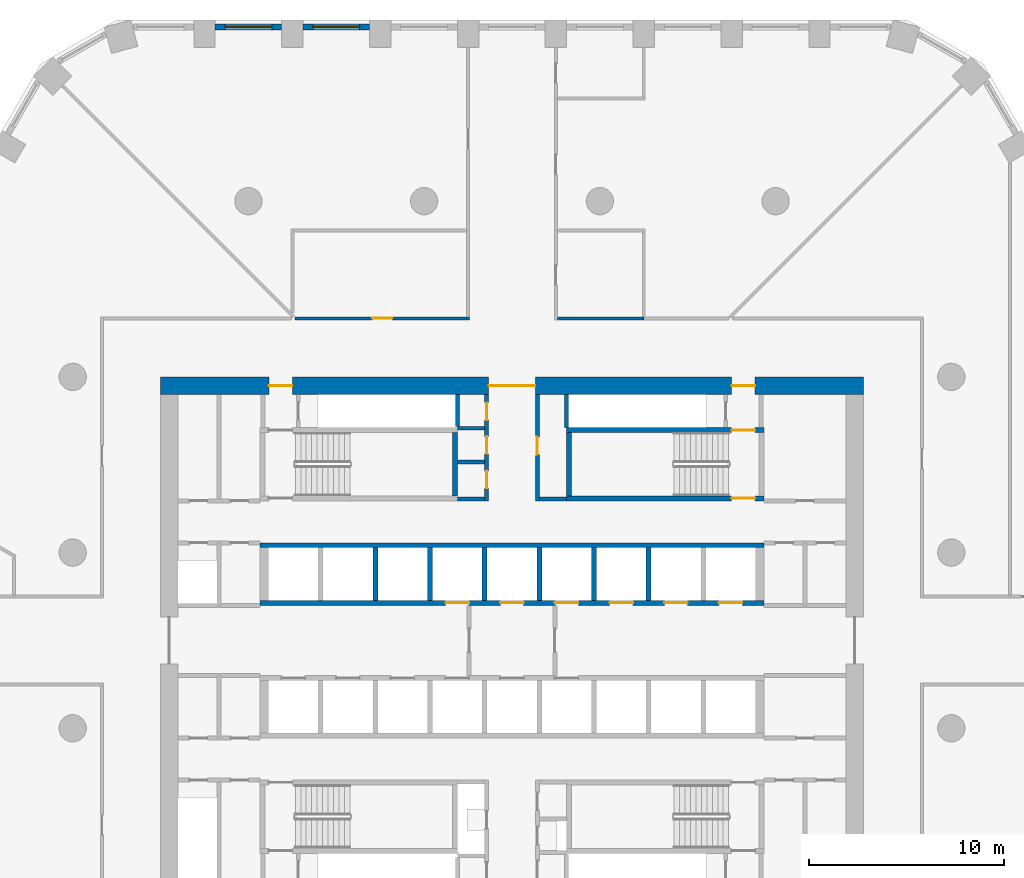
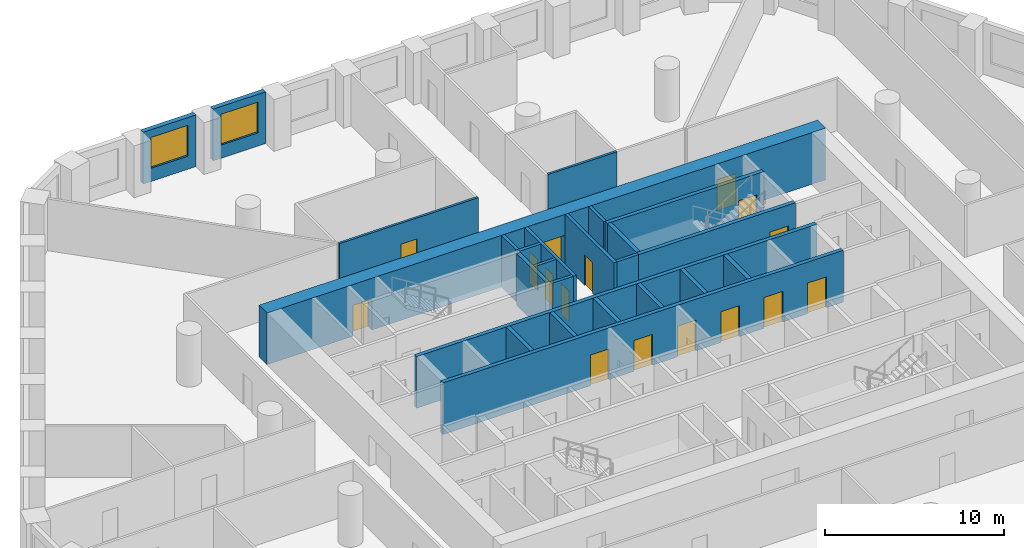
# One storey, part 6 of 10: 25 walls, 16 doors, 2 windows, 18 openings.
"""IFC4 building model written with IfcOpenShell, lengths in metres."""

from ifc_helpers import new_model, si_unit, direction, frame, frame_2d, origin, place, context, subcontext, project, spatial, polyline, rectangle, outline, extrude, material, layer, layer_set, type_object, element, fill, save


model = new_model("IFC4")

# Units and contexts
model_context = context("Model", 3, precision=1e-05, world=origin(), true_north=direction((0.0, 1.0)))
body_context = subcontext(model_context, "Body", "Model", "MODEL_VIEW")
ifc_project = project(units=[si_unit("LENGTHUNIT", "METRE"), si_unit("AREAUNIT", "SQUARE_METRE"), si_unit("VOLUMEUNIT", "CUBIC_METRE"), si_unit("PLANEANGLEUNIT", "RADIAN"), si_unit("MASSUNIT", "GRAM", prefix="KILO")], contexts=[model_context])

# Site, building, storey
site_placement = place(None, origin())
site = spatial("IfcSite", under=ifc_project, at=site_placement, CompositionType="ELEMENT")
building_placement = place(site_placement, origin())
building = spatial("IfcBuilding", under=site, at=building_placement, Name="Dhurran Vertical Campus", CompositionType="ELEMENT")
storey_placement = place(building_placement, frame((0.0, 0.0, 57.300048828125)))
storey = spatial("IfcBuildingStorey", under=building, at=storey_placement, Name="L13", CompositionType="ELEMENT", Elevation=57.300048828125)

# Wall, opening, window
ifc_material_1 = material(Name="Precast concrete C50/60", Category="concrete")
ifc_layer_1 = layer(ifc_material_1, 0.300048828125)
ifc_layer_set_1 = layer_set([ifc_layer_1], Name="Precast concrete C50/60")
wall_type_1 = type_object("IfcWallType", Name="Precast spandrel wall 300", PredefinedType="SOLIDWALL", material=ifc_layer_set_1)
wall_1_placement = place(storey_placement, frame((-7.300537109375, 31.4296875, 0.0), z_axis=(0.0, 0.0, 1.0), x_axis=(-1.0, 0.0, 0.0)))
wall_1 = element("IfcWall", 1, at=wall_1_placement, inside=storey, type_object=wall_type_1, Name="EW1 L13.32", PredefinedType="SOLIDWALL", context=body_context, shape_type="SweptSolid", body=[
    extrude(rectangle(XDim=3.39892578125, YDim=0.300048828125, at=frame_2d((1.699462890625, 0.0))), origin(), (0.0, 0.0, 1.0), 3.52490234375),
])
opening_1_placement = place(wall_1_placement, frame((0.49951171875, 0.0, 0.89990234375)))
opening_1 = element("IfcOpeningElement", 2, at=opening_1_placement, cuts=wall_1, Name="Opening WT1", PredefinedType="OPENING", context=body_context, shape_type="SweptSolid", body=[
    extrude(rectangle(XDim=2.39990234375, YDim=2.10009765625, at=frame_2d((1.199951171875, 1.050048828125))), frame((0.0, 0.159912109375, 0.0), z_axis=(0.0, -1.0, 0.0), x_axis=(1.0, 0.0, 0.0)), (0.0, 0.0, 1.0), 0.320068359375),
])
ifc_material_2 = material(Name="Aluminium frame with solar-control glass", Category="aluminium")
window_type = type_object("IfcWindowType", Name="Punched window 2400 x 2100", PartitioningType="SINGLE_PANEL", PredefinedType="WINDOW", material=ifc_material_2)
window_1_placement = place(opening_1_placement, origin())
window_1 = element("IfcWindow", 3, at=window_1_placement, inside=storey, type_object=window_type, Name="WT1 L13.32", OverallHeight=2.10009765625, OverallWidth=2.39990234375, PartitioningType="SINGLE_PANEL", PredefinedType="WINDOW", context=body_context, shape_type="SweptSolid", body=[
    extrude(rectangle(XDim=2.39990234375, YDim=2.10009765625, at=frame_2d((1.199951171875, 1.050048828125))), frame((0.0, 0.030029296875, 0.0), z_axis=(0.0, -1.0, 0.0), x_axis=(1.0, 0.0, 0.0)), (0.0, 0.0, 1.0), 0.06005859375),
])
fill(opening_1, window_1)

wall_2_placement = place(storey_placement, frame((-11.800537109375, 31.4296875, 0.0), z_axis=(0.0, 0.0, 1.0), x_axis=(-1.0, 0.0, 0.0)))
wall_2 = element("IfcWall", 4, at=wall_2_placement, inside=storey, type_object=wall_type_1, Name="EW1 L13.33", PredefinedType="SOLIDWALL", context=body_context, shape_type="SweptSolid", body=[
    extrude(rectangle(XDim=3.39892578125, YDim=0.300048828125, at=frame_2d((1.699462890625, 0.0))), origin(), (0.0, 0.0, 1.0), 3.52490234375),
])
opening_2_placement = place(wall_2_placement, frame((0.49951171875, 0.0, 0.89990234375)))
opening_2 = element("IfcOpeningElement", 5, at=opening_2_placement, cuts=wall_2, Name="Opening WT1", PredefinedType="OPENING", context=body_context, shape_type="SweptSolid", body=[
    extrude(rectangle(XDim=2.39990234375, YDim=2.10009765625, at=frame_2d((1.199951171875, 1.050048828125))), frame((0.0, 0.159912109375, 0.0), z_axis=(0.0, -1.0, 0.0), x_axis=(1.0, 0.0, 0.0)), (0.0, 0.0, 1.0), 0.320068359375),
])
window_2_placement = place(opening_2_placement, origin())
window_2 = element("IfcWindow", 6, at=window_2_placement, inside=storey, type_object=window_type, Name="WT1 L13.33", OverallHeight=2.10009765625, OverallWidth=2.39990234375, PartitioningType="SINGLE_PANEL", PredefinedType="WINDOW", context=body_context, shape_type="SweptSolid", body=[
    extrude(rectangle(XDim=2.39990234375, YDim=2.10009765625, at=frame_2d((1.199951171875, 1.050048828125))), frame((0.0, 0.030029296875, 0.0), z_axis=(0.0, -1.0, 0.0), x_axis=(1.0, 0.0, 0.0)), (0.0, 0.0, 1.0), 0.06005859375),
])
fill(opening_2, window_2)

# Wall, openings, doors
ifc_material_3 = material(Name="Concrete C60/75", Category="concrete")
ifc_layer_2 = layer(ifc_material_3, 0.89990234375)
ifc_layer_set_2 = layer_set([ifc_layer_2], Name="Concrete C60/75")
wall_type_2 = type_object("IfcWallType", Name="co-CORE-WALL-C0-900", PredefinedType="SHEAR", material=ifc_layer_set_2)
wall_3_placement = place(storey_placement, frame((-18.0, 13.050048828125, 0.0), z_axis=(0.0, 0.0, 1.0), x_axis=(1.0, 0.0, 0.0)))
wall_3 = element("IfcWall", 7, at=wall_3_placement, inside=storey, type_object=wall_type_2, Name="Core wall N L13", PredefinedType="SHEAR", context=body_context, shape_type="SweptSolid", body=[
    extrude(rectangle(XDim=36.0, YDim=0.89990234375, at=frame_2d((18.0, 0.0))), origin(), (0.0, 0.0, 1.0), 3.52490234375),
])
opening_3_placement = place(wall_3_placement, frame((16.800048828125, 0.0, 0.0)))
opening_3 = element("IfcOpeningElement", 8, at=opening_3_placement, cuts=wall_3, Name="Opening CV1", PredefinedType="OPENING", context=body_context, shape_type="SweptSolid", body=[
    extrude(rectangle(XDim=2.39990234375, YDim=2.10009765625, at=frame_2d((1.199951171875, 1.050048828125))), frame((0.0, 0.4599609375, 0.0), z_axis=(0.0, -1.0, 0.0), x_axis=(1.0, 0.0, 0.0)), (0.0, 0.0, 1.0), 0.919921875),
])
opening_4_placement = place(wall_3_placement, frame((5.550048828125, 0.0, 0.0)))
opening_4 = element("IfcOpeningElement", 9, at=opening_4_placement, cuts=wall_3, Name="Opening XD1", PredefinedType="OPENING", context=body_context, shape_type="SweptSolid", body=[
    extrude(rectangle(XDim=1.199951171875, YDim=2.10009765625, at=frame_2d((0.60009765625, 1.050048828125))), frame((0.0, 0.4599609375, 0.0), z_axis=(0.0, -1.0, 0.0), x_axis=(1.0, 0.0, 0.0)), (0.0, 0.0, 1.0), 0.919921875),
])
opening_5_placement = place(wall_3_placement, frame((29.25, 0.0, 0.0)))
opening_5 = element("IfcOpeningElement", 10, at=opening_5_placement, cuts=wall_3, Name="Opening XD2", PredefinedType="OPENING", context=body_context, shape_type="SweptSolid", body=[
    extrude(rectangle(XDim=1.199951171875, YDim=2.10009765625, at=frame_2d((0.60009765625, 1.050048828125))), frame((0.0, 0.4599609375, 0.0), z_axis=(0.0, -1.0, 0.0), x_axis=(1.0, 0.0, 0.0)), (0.0, 0.0, 1.0), 0.919921875),
])
ifc_material_4 = material(Name="Fire-rated glazed door set")
door_type_1 = type_object("IfcDoorType", Name="co-D-LOBBY 2400x2100", OperationType="DOUBLE_DOOR_DOUBLE_SWING", PredefinedType="DOOR", material=ifc_material_4)
door_1_placement = place(opening_3_placement, origin())
door_1 = element("IfcDoor", 11, at=door_1_placement, inside=storey, type_object=door_type_1, Name="Core vestibule door N L13", OperationType="DOUBLE_DOOR_DOUBLE_SWING", OverallHeight=2.10009765625, OverallWidth=2.39990234375, PredefinedType="DOOR", context=body_context, shape_type="SweptSolid", body=[
    extrude(rectangle(XDim=2.39990234375, YDim=2.10009765625, at=frame_2d((1.199951171875, 1.050048828125))), frame((0.0, 0.02490234375, 0.0), z_axis=(0.0, -1.0, 0.0), x_axis=(1.0, 0.0, 0.0)), (0.0, 0.0, 1.0), 0.050048828125),
])
fill(opening_3, door_1)
ifc_material_5 = material(Name="Fire-rated steel door set", Category="steel")
door_type_2 = type_object("IfcDoorType", Name="co-D-STAIR-EXIT 1200x2100", OperationType="SINGLE_SWING_RIGHT", PredefinedType="DOOR", material=ifc_material_5)
door_2_placement = place(opening_4_placement, origin())
door_2 = element("IfcDoor", 12, at=door_2_placement, inside=storey, type_object=door_type_2, Name="Stair ST1 exit door L13", OperationType="SINGLE_SWING_RIGHT", OverallHeight=2.10009765625, OverallWidth=1.199951171875, PredefinedType="DOOR", context=body_context, shape_type="SweptSolid", body=[
    extrude(rectangle(XDim=1.199951171875, YDim=2.10009765625, at=frame_2d((0.60009765625, 1.050048828125))), frame((0.0, 0.02490234375, 0.0), z_axis=(0.0, -1.0, 0.0), x_axis=(1.0, 0.0, 0.0)), (0.0, 0.0, 1.0), 0.050048828125),
])
fill(opening_4, door_2)
door_3_placement = place(opening_5_placement, origin())
door_3 = element("IfcDoor", 13, at=door_3_placement, inside=storey, type_object=door_type_2, Name="Stair ST2 exit door L13", OperationType="SINGLE_SWING_RIGHT", OverallHeight=2.10009765625, OverallWidth=1.199951171875, PredefinedType="DOOR", context=body_context, shape_type="SweptSolid", body=[
    extrude(rectangle(XDim=1.199951171875, YDim=2.10009765625, at=frame_2d((0.60009765625, 1.050048828125))), frame((0.0, 0.02490234375, 0.0), z_axis=(0.0, -1.0, 0.0), x_axis=(1.0, 0.0, 0.0)), (0.0, 0.0, 1.0), 0.050048828125),
])
fill(opening_5, door_3)

# Walls
ifc_material_6 = material(Name="Fire-rated masonry blockwork", Category="masonry")
ifc_layer_3 = layer(ifc_material_6, 0.199951171875)
ifc_layer_set_3 = layer_set([ifc_layer_3], Name="Fire-rated masonry blockwork")
wall_type_3 = type_object("IfcWallType", Name="co-FIRE-PARTITION-200", PredefinedType="PARTITIONING", material=ifc_layer_set_3)
for number, where, z_axis, x_axis, name in (
    (14, (-2.800048828125, 7.25, 0.0), (0.0, 0.0, 1.0), (1.0, 0.0, 0.0), "Core partition sl-NW-S L13"),
    (15, (-2.800048828125, 9.135009765625, 0.0), (0.0, 0.0, 1.0), (1.0, 0.0, 0.0), "Core partition sl-NW-cut0 L13"),
    (16, (-2.800048828125, 10.867431640625, 0.0), (0.0, 0.0, 1.0), (1.0, 0.0, 0.0), "Core partition sl-NW-cut1 L13"),
    (17, (1.39990234375, 7.25, 0.0), (0.0, 0.0, 1.0), (1.0, 0.0, 0.0), "Core partition sl-NE-S L13"),
):
    element("IfcWall", number, at=place(storey_placement, frame(where, z_axis=z_axis, x_axis=x_axis)), inside=storey, type_object=wall_type_3, Name=name, PredefinedType="PARTITIONING", context=body_context, shape_type="SweptSolid", body=[
        extrude(rectangle(XDim=1.400146484375, YDim=0.199951171875, at=frame_2d((0.7001953125, 0.0))), origin(), (0.0, 0.0, 1.0), 3.52490234375),
    ])

# Wall, openings, doors
wall_4_placement = place(storey_placement, frame((-1.300048828125, 7.14990234375, 0.0), z_axis=(0.0, 0.0, 1.0), x_axis=(0.0, 1.0, 0.0)))
wall_4 = element("IfcWall", 18, at=wall_4_placement, inside=storey, type_object=wall_type_3, Name="Core partition vest-NW L13", PredefinedType="PARTITIONING", context=body_context, shape_type="SweptSolid", body=[
    extrude(rectangle(XDim=5.4501953125, YDim=0.199951171875, at=frame_2d((2.72509765625, 0.0))), origin(), (0.0, 0.0, 1.0), 3.52490234375),
])
opening_6_placement = place(wall_4_placement, frame((0.642578125, 0.0, 0.0)))
opening_6 = element("IfcOpeningElement", 19, at=opening_6_placement, cuts=wall_4, Name="Opening T03-C6", PredefinedType="OPENING", context=body_context, shape_type="SweptSolid", body=[
    extrude(rectangle(XDim=0.89990234375, YDim=2.10009765625, at=frame_2d((0.449951171875, 1.050048828125))), frame((0.0, 0.10986328125, 0.0), z_axis=(0.0, -1.0, 0.0), x_axis=(1.0, 0.0, 0.0)), (0.0, 0.0, 1.0), 0.219970703125),
])
opening_7_placement = place(wall_4_placement, frame((2.401123046875, 0.0, 0.0)))
opening_7 = element("IfcOpeningElement", 20, at=opening_7_placement, cuts=wall_4, Name="Opening T03-C7", PredefinedType="OPENING", context=body_context, shape_type="SweptSolid", body=[
    extrude(rectangle(XDim=0.89990234375, YDim=2.10009765625, at=frame_2d((0.449951171875, 1.050048828125))), frame((0.0, 0.10986328125, 0.0), z_axis=(0.0, -1.0, 0.0), x_axis=(1.0, 0.0, 0.0)), (0.0, 0.0, 1.0), 0.219970703125),
])
opening_8_placement = place(wall_4_placement, frame((4.1337890625, 0.0, 0.0)))
opening_8 = element("IfcOpeningElement", 21, at=opening_8_placement, cuts=wall_4, Name="Opening T03-C8", PredefinedType="OPENING", context=body_context, shape_type="SweptSolid", body=[
    extrude(rectangle(XDim=0.89990234375, YDim=2.10009765625, at=frame_2d((0.449951171875, 1.050048828125))), frame((0.0, 0.10986328125, 0.0), z_axis=(0.0, -1.0, 0.0), x_axis=(1.0, 0.0, 0.0)), (0.0, 0.0, 1.0), 0.219970703125),
])
ifc_material_7 = material(Name="Fire-rated timber door set", Category="wood")
door_type_3 = type_object("IfcDoorType", Name="co-D-ROOM 900x2100", OperationType="SINGLE_SWING_LEFT", PredefinedType="DOOR", material=ifc_material_7)
door_4_placement = place(opening_6_placement, origin())
door_4 = element("IfcDoor", 22, at=door_4_placement, inside=storey, type_object=door_type_3, Name="Cleaner's store door L13", OperationType="SINGLE_SWING_LEFT", OverallHeight=2.10009765625, OverallWidth=0.89990234375, PredefinedType="DOOR", context=body_context, shape_type="SweptSolid", body=[
    extrude(rectangle(XDim=0.89990234375, YDim=2.10009765625, at=frame_2d((0.449951171875, 1.050048828125))), frame((0.0, 0.02490234375, 0.0), z_axis=(0.0, -1.0, 0.0), x_axis=(1.0, 0.0, 0.0)), (0.0, 0.0, 1.0), 0.050048828125),
])
fill(opening_6, door_4)
door_5_placement = place(opening_7_placement, origin())
door_5 = element("IfcDoor", 23, at=door_5_placement, inside=storey, type_object=door_type_3, Name="Communications room door L13", OperationType="SINGLE_SWING_LEFT", OverallHeight=2.10009765625, OverallWidth=0.89990234375, PredefinedType="DOOR", context=body_context, shape_type="SweptSolid", body=[
    extrude(rectangle(XDim=0.89990234375, YDim=2.10009765625, at=frame_2d((0.449951171875, 1.050048828125))), frame((0.0, 0.02490234375, 0.0), z_axis=(0.0, -1.0, 0.0), x_axis=(1.0, 0.0, 0.0)), (0.0, 0.0, 1.0), 0.050048828125),
])
fill(opening_7, door_5)
door_6_placement = place(opening_8_placement, origin())
door_6 = element("IfcDoor", 24, at=door_6_placement, inside=storey, type_object=door_type_3, Name="Pantry door L13", OperationType="SINGLE_SWING_LEFT", OverallHeight=2.10009765625, OverallWidth=0.89990234375, PredefinedType="DOOR", context=body_context, shape_type="SweptSolid", body=[
    extrude(rectangle(XDim=0.89990234375, YDim=2.10009765625, at=frame_2d((0.449951171875, 1.050048828125))), frame((0.0, 0.02490234375, 0.0), z_axis=(0.0, -1.0, 0.0), x_axis=(1.0, 0.0, 0.0)), (0.0, 0.0, 1.0), 0.050048828125),
])
fill(opening_8, door_6)

# Wall, opening, door
wall_5_placement = place(storey_placement, frame((1.300048828125, 7.14990234375, 0.0), z_axis=(0.0, 0.0, 1.0), x_axis=(0.0, 1.0, 0.0)))
wall_5 = element("IfcWall", 25, at=wall_5_placement, inside=storey, type_object=wall_type_3, Name="Core partition vest-NE L13", PredefinedType="PARTITIONING", context=body_context, shape_type="SweptSolid", body=[
    extrude(rectangle(XDim=5.4501953125, YDim=0.199951171875, at=frame_2d((2.72509765625, 0.0))), origin(), (0.0, 0.0, 1.0), 3.52490234375),
])
opening_9_placement = place(wall_5_placement, frame((2.375, 0.0, 0.0)))
opening_9 = element("IfcOpeningElement", 26, at=opening_9_placement, cuts=wall_5, Name="Opening T03-C9", PredefinedType="OPENING", context=body_context, shape_type="SweptSolid", body=[
    extrude(rectangle(XDim=0.89990234375, YDim=2.10009765625, at=frame_2d((0.449951171875, 1.050048828125))), frame((0.0, 0.10986328125, 0.0), z_axis=(0.0, -1.0, 0.0), x_axis=(1.0, 0.0, 0.0)), (0.0, 0.0, 1.0), 0.219970703125),
])
door_7_placement = place(opening_9_placement, origin())
door_7 = element("IfcDoor", 27, at=door_7_placement, inside=storey, type_object=door_type_3, Name="Fire equipment store door L13", OperationType="SINGLE_SWING_LEFT", OverallHeight=2.10009765625, OverallWidth=0.89990234375, PredefinedType="DOOR", context=body_context, shape_type="SweptSolid", body=[
    extrude(rectangle(XDim=0.89990234375, YDim=2.10009765625, at=frame_2d((0.449951171875, 1.050048828125))), frame((0.0, 0.02490234375, 0.0), z_axis=(0.0, -1.0, 0.0), x_axis=(1.0, 0.0, 0.0)), (0.0, 0.0, 1.0), 0.050048828125),
])
fill(opening_9, door_7)

# Walls
wall_6_placement = place(storey_placement, frame((-2.800048828125, 10.968505859375, 0.0), z_axis=(0.0, 0.0, 1.0), x_axis=(0.0, 1.0, 0.0)))
element("IfcWall", 28, at=wall_6_placement, inside=storey, type_object=wall_type_3, Name="Riser enclosure wall L13", PredefinedType="PARTITIONING", context=body_context, shape_type="SweptSolid", body=[
    extrude(rectangle(XDim=1.630615234375, YDim=0.199951171875, at=frame_2d((0.8154296875, 0.0))), origin(), (0.0, 0.0, 1.0), 3.52490234375),
])
wall_7_placement = place(storey_placement, frame((2.800048828125, 12.59912109375, 0.0), z_axis=(0.0, 0.0, 1.0), x_axis=(0.0, -1.0, 0.0)))
element("IfcWall", 29, at=wall_7_placement, inside=storey, type_object=wall_type_3, Name="Riser enclosure wall L13", PredefinedType="PARTITIONING", context=body_context, shape_type="SweptSolid", body=[
    extrude(rectangle(XDim=1.6982421875, YDim=0.199951171875, at=frame_2d((0.84912109375, 0.0))), origin(), (0.0, 0.0, 1.0), 3.52490234375),
])

# Wall, openings, doors
ifc_material_8 = material(Name="Concrete C50/60", Category="concrete")
ifc_layer_4 = layer(ifc_material_8, 0.25)
ifc_layer_set_4 = layer_set([ifc_layer_4], Name="Concrete C50/60")
wall_type_4 = type_object("IfcWallType", Name="co-SHAFT-FRONT-250", PredefinedType="SHEAR", material=ifc_layer_set_4)
wall_8_placement = place(storey_placement, frame((-12.89990234375, 1.925048828125, 0.0), z_axis=(0.0, 0.0, 1.0), x_axis=(1.0, 0.0, 0.0)))
wall_8 = element("IfcWall", 30, at=wall_8_placement, inside=storey, type_object=wall_type_4, Name="Lift landing wall N L13", PredefinedType="SHEAR", context=body_context, shape_type="SweptSolid", body=[
    extrude(rectangle(XDim=25.7998046875, YDim=0.25, at=frame_2d((12.89990234375, 0.0))), origin(), (0.0, 0.0, 1.0), 3.52490234375),
])
opening_10_placement = place(wall_8_placement, frame((9.5, 0.0, 0.0)))
opening_10 = element("IfcOpeningElement", 31, at=opening_10_placement, cuts=wall_8, Name="Opening LD", PredefinedType="OPENING", context=body_context, shape_type="SweptSolid", body=[
    extrude(rectangle(XDim=1.199951171875, YDim=2.10009765625, at=frame_2d((0.60009765625, 1.050048828125))), frame((0.0, 0.135009765625, 0.0), z_axis=(0.0, -1.0, 0.0), x_axis=(1.0, 0.0, 0.0)), (0.0, 0.0, 1.0), 0.27001953125),
])
opening_11_placement = place(wall_8_placement, frame((12.300048828125, 0.0, 0.0)))
opening_11 = element("IfcOpeningElement", 32, at=opening_11_placement, cuts=wall_8, Name="Opening LD", PredefinedType="OPENING", context=body_context, shape_type="SweptSolid", body=[
    extrude(rectangle(XDim=1.199951171875, YDim=2.10009765625, at=frame_2d((0.60009765625, 1.050048828125))), frame((0.0, 0.135009765625, 0.0), z_axis=(0.0, -1.0, 0.0), x_axis=(1.0, 0.0, 0.0)), (0.0, 0.0, 1.0), 0.27001953125),
])
opening_12_placement = place(wall_8_placement, frame((15.10009765625, 0.0, 0.0)))
opening_12 = element("IfcOpeningElement", 33, at=opening_12_placement, cuts=wall_8, Name="Opening LD", PredefinedType="OPENING", context=body_context, shape_type="SweptSolid", body=[
    extrude(rectangle(XDim=1.199951171875, YDim=2.10009765625, at=frame_2d((0.60009765625, 1.050048828125))), frame((0.0, 0.135009765625, 0.0), z_axis=(0.0, -1.0, 0.0), x_axis=(1.0, 0.0, 0.0)), (0.0, 0.0, 1.0), 0.27001953125),
])
opening_13_placement = place(wall_8_placement, frame((17.89990234375, 0.0, 0.0)))
opening_13 = element("IfcOpeningElement", 34, at=opening_13_placement, cuts=wall_8, Name="Opening LD", PredefinedType="OPENING", context=body_context, shape_type="SweptSolid", body=[
    extrude(rectangle(XDim=1.199951171875, YDim=2.10009765625, at=frame_2d((0.60009765625, 1.050048828125))), frame((0.0, 0.135009765625, 0.0), z_axis=(0.0, -1.0, 0.0), x_axis=(1.0, 0.0, 0.0)), (0.0, 0.0, 1.0), 0.27001953125),
])
opening_14_placement = place(wall_8_placement, frame((20.699951171875, 0.0, 0.0)))
opening_14 = element("IfcOpeningElement", 35, at=opening_14_placement, cuts=wall_8, Name="Opening LD", PredefinedType="OPENING", context=body_context, shape_type="SweptSolid", body=[
    extrude(rectangle(XDim=1.199951171875, YDim=2.10009765625, at=frame_2d((0.60009765625, 1.050048828125))), frame((0.0, 0.135009765625, 0.0), z_axis=(0.0, -1.0, 0.0), x_axis=(1.0, 0.0, 0.0)), (0.0, 0.0, 1.0), 0.27001953125),
])
opening_15_placement = place(wall_8_placement, frame((23.5, 0.0, 0.0)))
opening_15 = element("IfcOpeningElement", 36, at=opening_15_placement, cuts=wall_8, Name="Opening LD", PredefinedType="OPENING", context=body_context, shape_type="SweptSolid", body=[
    extrude(rectangle(XDim=1.199951171875, YDim=2.10009765625, at=frame_2d((0.60009765625, 1.050048828125))), frame((0.0, 0.135009765625, 0.0), z_axis=(0.0, -1.0, 0.0), x_axis=(1.0, 0.0, 0.0)), (0.0, 0.0, 1.0), 0.27001953125),
])
ifc_material_9 = material(Name="Stainless steel landing door", Category="steel")
door_type_4 = type_object("IfcDoorType", Name="co-D-LANDING 1200x2100", OperationType="DOUBLE_DOOR_SLIDING", PredefinedType="DOOR", material=ifc_material_9)
door_8_placement = place(opening_10_placement, origin())
door_8 = element("IfcDoor", 37, at=door_8_placement, inside=storey, type_object=door_type_4, Name="Landing door LR1 L13", OperationType="DOUBLE_DOOR_SLIDING", OverallHeight=2.10009765625, OverallWidth=1.199951171875, PredefinedType="DOOR", context=body_context, shape_type="SweptSolid", body=[
    extrude(rectangle(XDim=1.199951171875, YDim=2.10009765625, at=frame_2d((0.60009765625, 1.050048828125))), frame((0.0, 0.02490234375, 0.0), z_axis=(0.0, -1.0, 0.0), x_axis=(1.0, 0.0, 0.0)), (0.0, 0.0, 1.0), 0.050048828125),
])
fill(opening_10, door_8)
door_9_placement = place(opening_11_placement, origin())
door_9 = element("IfcDoor", 38, at=door_9_placement, inside=storey, type_object=door_type_4, Name="Landing door FF1 L13", OperationType="DOUBLE_DOOR_SLIDING", OverallHeight=2.10009765625, OverallWidth=1.199951171875, PredefinedType="DOOR", context=body_context, shape_type="SweptSolid", body=[
    extrude(rectangle(XDim=1.199951171875, YDim=2.10009765625, at=frame_2d((0.60009765625, 1.050048828125))), frame((0.0, 0.02490234375, 0.0), z_axis=(0.0, -1.0, 0.0), x_axis=(1.0, 0.0, 0.0)), (0.0, 0.0, 1.0), 0.050048828125),
])
fill(opening_11, door_9)
door_10_placement = place(opening_12_placement, origin())
door_10 = element("IfcDoor", 39, at=door_10_placement, inside=storey, type_object=door_type_4, Name="Landing door LR2 L13", OperationType="DOUBLE_DOOR_SLIDING", OverallHeight=2.10009765625, OverallWidth=1.199951171875, PredefinedType="DOOR", context=body_context, shape_type="SweptSolid", body=[
    extrude(rectangle(XDim=1.199951171875, YDim=2.10009765625, at=frame_2d((0.60009765625, 1.050048828125))), frame((0.0, 0.02490234375, 0.0), z_axis=(0.0, -1.0, 0.0), x_axis=(1.0, 0.0, 0.0)), (0.0, 0.0, 1.0), 0.050048828125),
])
fill(opening_12, door_10)
door_11_placement = place(opening_13_placement, origin())
door_11 = element("IfcDoor", 40, at=door_11_placement, inside=storey, type_object=door_type_4, Name="Landing door LR3 L13", OperationType="DOUBLE_DOOR_SLIDING", OverallHeight=2.10009765625, OverallWidth=1.199951171875, PredefinedType="DOOR", context=body_context, shape_type="SweptSolid", body=[
    extrude(rectangle(XDim=1.199951171875, YDim=2.10009765625, at=frame_2d((0.60009765625, 1.050048828125))), frame((0.0, 0.02490234375, 0.0), z_axis=(0.0, -1.0, 0.0), x_axis=(1.0, 0.0, 0.0)), (0.0, 0.0, 1.0), 0.050048828125),
])
fill(opening_13, door_11)
door_12_placement = place(opening_14_placement, origin())
door_12 = element("IfcDoor", 41, at=door_12_placement, inside=storey, type_object=door_type_4, Name="Landing door LR4 L13", OperationType="DOUBLE_DOOR_SLIDING", OverallHeight=2.10009765625, OverallWidth=1.199951171875, PredefinedType="DOOR", context=body_context, shape_type="SweptSolid", body=[
    extrude(rectangle(XDim=1.199951171875, YDim=2.10009765625, at=frame_2d((0.60009765625, 1.050048828125))), frame((0.0, 0.02490234375, 0.0), z_axis=(0.0, -1.0, 0.0), x_axis=(1.0, 0.0, 0.0)), (0.0, 0.0, 1.0), 0.050048828125),
])
fill(opening_14, door_12)
door_13_placement = place(opening_15_placement, origin())
door_13 = element("IfcDoor", 42, at=door_13_placement, inside=storey, type_object=door_type_4, Name="Landing door SV2 L13", OperationType="DOUBLE_DOOR_SLIDING", OverallHeight=2.10009765625, OverallWidth=1.199951171875, PredefinedType="DOOR", context=body_context, shape_type="SweptSolid", body=[
    extrude(rectangle(XDim=1.199951171875, YDim=2.10009765625, at=frame_2d((0.60009765625, 1.050048828125))), frame((0.0, 0.02490234375, 0.0), z_axis=(0.0, -1.0, 0.0), x_axis=(1.0, 0.0, 0.0)), (0.0, 0.0, 1.0), 0.050048828125),
])
fill(opening_15, door_13)

# Walls
ifc_material_10 = material(Name="Concrete C50/60", Category="concrete")
ifc_layer_5 = layer(ifc_material_10, 0.25)
ifc_layer_set_5 = layer_set([ifc_layer_5], Name="Concrete C50/60")
wall_type_5 = type_object("IfcWallType", Name="co-SHAFT-MASS-250", PredefinedType="SHEAR", material=ifc_layer_set_5)
wall_9_placement = place(storey_placement, origin())
element("IfcWall", 43, at=wall_9_placement, inside=storey, type_object=wall_type_5, Name="Lift shaft wall N L13 1", PredefinedType="SHEAR", context=body_context, shape_type="SweptSolid", body=[
    extrude(outline(polyline([(-12.89990234375, 4.75), (12.89990234375, 4.75), (12.89990234375, 5.0), (-12.89990234375, 5.0), (-12.89990234375, 4.75)])), origin(), (0.0, 0.0, 1.0), 3.52490234375),
])
wall_10_placement = place(storey_placement, origin())
element("IfcWall", 44, at=wall_10_placement, inside=storey, type_object=wall_type_5, Name="Lift shaft wall N L13 4", PredefinedType="SHEAR", context=body_context, shape_type="SweptSolid", body=[
    extrude(outline(polyline([(-7.125, 2.050048828125), (-6.875, 2.050048828125), (-6.875, 4.75), (-7.125, 4.75), (-7.125, 2.050048828125)])), origin(), (0.0, 0.0, 1.0), 3.52490234375),
])
wall_11_placement = place(storey_placement, origin())
element("IfcWall", 45, at=wall_11_placement, inside=storey, type_object=wall_type_5, Name="Lift shaft wall N L13 5", PredefinedType="SHEAR", context=body_context, shape_type="SweptSolid", body=[
    extrude(outline(polyline([(-4.324951171875, 2.050048828125), (-4.074951171875, 2.050048828125), (-4.074951171875, 4.75), (-4.324951171875, 4.75), (-4.324951171875, 2.050048828125)])), origin(), (0.0, 0.0, 1.0), 3.52490234375),
])
wall_12_placement = place(storey_placement, origin())
element("IfcWall", 46, at=wall_12_placement, inside=storey, type_object=wall_type_5, Name="Lift shaft wall N L13 6", PredefinedType="SHEAR", context=body_context, shape_type="SweptSolid", body=[
    extrude(outline(polyline([(-1.52490234375, 2.050048828125), (-1.27490234375, 2.050048828125), (-1.27490234375, 4.75), (-1.52490234375, 4.75), (-1.52490234375, 2.050048828125)])), origin(), (0.0, 0.0, 1.0), 3.52490234375),
])
wall_13_placement = place(storey_placement, origin())
element("IfcWall", 47, at=wall_13_placement, inside=storey, type_object=wall_type_5, Name="Lift shaft wall N L13 7", PredefinedType="SHEAR", context=body_context, shape_type="SweptSolid", body=[
    extrude(outline(polyline([(1.27490234375, 2.050048828125), (1.52490234375, 2.050048828125), (1.52490234375, 4.75), (1.27490234375, 4.75), (1.27490234375, 2.050048828125)])), origin(), (0.0, 0.0, 1.0), 3.52490234375),
])
wall_14_placement = place(storey_placement, origin())
element("IfcWall", 48, at=wall_14_placement, inside=storey, type_object=wall_type_5, Name="Lift shaft wall N L13 8", PredefinedType="SHEAR", context=body_context, shape_type="SweptSolid", body=[
    extrude(outline(polyline([(4.074951171875, 2.050048828125), (4.324951171875, 2.050048828125), (4.324951171875, 4.75), (4.074951171875, 4.75), (4.074951171875, 2.050048828125)])), origin(), (0.0, 0.0, 1.0), 3.52490234375),
])
wall_15_placement = place(storey_placement, origin())
element("IfcWall", 49, at=wall_15_placement, inside=storey, type_object=wall_type_5, Name="Lift shaft wall N L13 9", PredefinedType="SHEAR", context=body_context, shape_type="SweptSolid", body=[
    extrude(outline(polyline([(6.875, 2.050048828125), (7.125, 2.050048828125), (7.125, 4.75), (6.875, 4.75), (6.875, 2.050048828125)])), origin(), (0.0, 0.0, 1.0), 3.52490234375),
])
ifc_material_11 = material(Name="Concrete C40/50", Category="concrete")
ifc_layer_6 = layer(ifc_material_11, 0.25)
ifc_layer_set_6 = layer_set([ifc_layer_6], Name="Concrete C40/50")
wall_type_6 = type_object("IfcWallType", Name="co-STAIR-WALL-250", PredefinedType="SHEAR", material=ifc_layer_set_6)
wall_16_placement = place(storey_placement, frame((-2.925048828125, 7.39990234375, 0.0), z_axis=(0.0, 0.0, 1.0), x_axis=(0.0, 1.0, 0.0)))
element("IfcWall", 50, at=wall_16_placement, inside=storey, type_object=wall_type_6, Name="Stair ST1 enclosure wall L13", PredefinedType="SHEAR", context=body_context, shape_type="SweptSolid", body=[
    extrude(rectangle(XDim=3.25, YDim=0.25, at=frame_2d((1.625, 0.0))), origin(), (0.0, 0.0, 1.0), 3.52490234375),
])

# Wall, opening, door
wall_17_placement = place(storey_placement, frame((2.800048828125, 7.27490234375, 0.0), z_axis=(0.0, 0.0, 1.0), x_axis=(1.0, 0.0, 0.0)))
wall_17 = element("IfcWall", 51, at=wall_17_placement, inside=storey, type_object=wall_type_6, Name="Stair ST2 enclosure wall L13", PredefinedType="SHEAR", context=body_context, shape_type="SweptSolid", body=[
    extrude(rectangle(XDim=10.099853515625, YDim=0.25, at=frame_2d((5.0498046875, 0.0))), origin(), (0.0, 0.0, 1.0), 3.52490234375),
])
opening_16_placement = place(wall_17_placement, frame((8.449951171875, 0.0, 0.0)))
opening_16 = element("IfcOpeningElement", 52, at=opening_16_placement, cuts=wall_17, Name="Opening SD2", PredefinedType="OPENING", context=body_context, shape_type="SweptSolid", body=[
    extrude(rectangle(XDim=1.199951171875, YDim=2.10009765625, at=frame_2d((0.60009765625, 1.050048828125))), frame((0.0, 0.135009765625, 0.0), z_axis=(0.0, -1.0, 0.0), x_axis=(1.0, 0.0, 0.0)), (0.0, 0.0, 1.0), 0.27001953125),
])
ifc_material_12 = material(Name="Fire-rated steel door set", Category="steel")
door_type_5 = type_object("IfcDoorType", Name="co-D-STAIR 1200x2100", OperationType="SINGLE_SWING_LEFT", PredefinedType="DOOR", material=ifc_material_12)
door_14_placement = place(opening_16_placement, origin())
door_14 = element("IfcDoor", 53, at=door_14_placement, inside=storey, type_object=door_type_5, Name="Stair ST2 door L13", OperationType="SINGLE_SWING_LEFT", OverallHeight=2.10009765625, OverallWidth=1.199951171875, PredefinedType="DOOR", context=body_context, shape_type="SweptSolid", body=[
    extrude(rectangle(XDim=1.199951171875, YDim=2.10009765625, at=frame_2d((0.60009765625, 1.050048828125))), frame((0.0, 0.02490234375, 0.0), z_axis=(0.0, -1.0, 0.0), x_axis=(1.0, 0.0, 0.0)), (0.0, 0.0, 1.0), 0.050048828125),
])
fill(opening_16, door_14)

wall_18_placement = place(storey_placement, frame((2.800048828125, 10.77490234375, 0.0), z_axis=(0.0, 0.0, 1.0), x_axis=(1.0, 0.0, 0.0)))
wall_18 = element("IfcWall", 54, at=wall_18_placement, inside=storey, type_object=wall_type_6, Name="Stair ST2 enclosure wall L13", PredefinedType="SHEAR", context=body_context, shape_type="SweptSolid", body=[
    extrude(rectangle(XDim=10.099853515625, YDim=0.25, at=frame_2d((5.0498046875, 0.0))), origin(), (0.0, 0.0, 1.0), 3.52490234375),
])
opening_17_placement = place(wall_18_placement, frame((8.449951171875, 0.0, 0.0)))
opening_17 = element("IfcOpeningElement", 55, at=opening_17_placement, cuts=wall_18, Name="Opening XS2", PredefinedType="OPENING", context=body_context, shape_type="SweptSolid", body=[
    extrude(rectangle(XDim=1.199951171875, YDim=2.10009765625, at=frame_2d((0.60009765625, 1.050048828125))), frame((0.0, 0.135009765625, 0.0), z_axis=(0.0, -1.0, 0.0), x_axis=(1.0, 0.0, 0.0)), (0.0, 0.0, 1.0), 0.27001953125),
])
door_15_placement = place(opening_17_placement, origin())
door_15 = element("IfcDoor", 56, at=door_15_placement, inside=storey, type_object=door_type_2, Name="Stair ST2 discharge door L13", OperationType="SINGLE_SWING_RIGHT", OverallHeight=2.10009765625, OverallWidth=1.199951171875, PredefinedType="DOOR", context=body_context, shape_type="SweptSolid", body=[
    extrude(rectangle(XDim=1.199951171875, YDim=2.10009765625, at=frame_2d((0.60009765625, 1.050048828125))), frame((0.0, 0.02490234375, 0.0), z_axis=(0.0, -1.0, 0.0), x_axis=(1.0, 0.0, 0.0)), (0.0, 0.0, 1.0), 0.050048828125),
])
fill(opening_17, door_15)

# Wall
wall_19_placement = place(storey_placement, frame((2.925048828125, 7.39990234375, 0.0), z_axis=(0.0, 0.0, 1.0), x_axis=(0.0, 1.0, 0.0)))
element("IfcWall", 57, at=wall_19_placement, inside=storey, type_object=wall_type_6, Name="Stair ST2 enclosure wall L13", PredefinedType="SHEAR", context=body_context, shape_type="SweptSolid", body=[
    extrude(rectangle(XDim=3.25, YDim=0.25, at=frame_2d((1.625, 0.0))), origin(), (0.0, 0.0, 1.0), 3.52490234375),
])

# Wall, opening, door
ifc_material_13 = material(Name="Gypsum board corridor wall on steel studs", Category="steel")
ifc_layer_7 = layer(ifc_material_13, 0.14990234375)
ifc_layer_set_7 = layer_set([ifc_layer_7], Name="Gypsum board corridor wall on steel studs")
wall_type_7 = type_object("IfcWallType", Name="fl-CW-150 corridor wall", PredefinedType="PARTITIONING", material=ifc_layer_set_7)
wall_20_placement = place(storey_placement, frame((-2.175048828125, 16.5, 0.0), z_axis=(0.0, 0.0, 1.0), x_axis=(-1.0, 0.0, 0.0)))
wall_20 = element("IfcWall", 58, at=wall_20_placement, inside=storey, type_object=wall_type_7, Name="Partition 13-21", PredefinedType="PARTITIONING", context=body_context, shape_type="SweptSolid", body=[
    extrude(rectangle(XDim=8.94189453125, YDim=0.14990234375, at=frame_2d((4.470947265625, 0.0))), origin(), (0.0, 0.0, 1.0), 3.52490234375),
])
opening_18_placement = place(wall_20_placement, frame((3.970947265625, 0.0, 0.0)))
opening_18 = element("IfcOpeningElement", 59, at=opening_18_placement, cuts=wall_20, Name="Opening T03.08", PredefinedType="OPENING", context=body_context, shape_type="SweptSolid", body=[
    extrude(rectangle(XDim=1.0, YDim=2.10009765625, at=frame_2d((0.5, 1.050048828125))), frame((0.0, 0.0849609375, 0.0), z_axis=(0.0, -1.0, 0.0), x_axis=(1.0, 0.0, 0.0)), (0.0, 0.0, 1.0), 0.169921875),
])
ifc_material_14 = material(Name="Solid-core timber door set, fire-rated", Category="wood")
door_type_6 = type_object("IfcDoorType", Name="fl-D-1000x2100", OperationType="SINGLE_SWING_LEFT", PredefinedType="DOOR", material=ifc_material_14)
door_16_placement = place(opening_18_placement, origin())
door_16 = element("IfcDoor", 60, at=door_16_placement, inside=storey, type_object=door_type_6, Name="Door 13.08", OperationType="SINGLE_SWING_RIGHT", OverallHeight=2.10009765625, OverallWidth=1.0, PredefinedType="DOOR", context=body_context, shape_type="SweptSolid", body=[
    extrude(rectangle(XDim=1.0, YDim=2.10009765625, at=frame_2d((0.5, 1.050048828125))), frame((0.0, 0.02490234375, 0.0), z_axis=(0.0, -1.0, 0.0), x_axis=(1.0, 0.0, 0.0)), (0.0, 0.0, 1.0), 0.050048828125),
])
fill(opening_18, door_16)

# Wall
wall_21_placement = place(storey_placement, frame((6.75, 16.5, 0.0), z_axis=(0.0, 0.0, 1.0), x_axis=(-1.0, 0.0, 0.0)))
element("IfcWall", 61, at=wall_21_placement, inside=storey, type_object=wall_type_7, Name="Partition 13-27", PredefinedType="PARTITIONING", context=body_context, shape_type="SweptSolid", body=[
    extrude(rectangle(XDim=4.425048828125, YDim=0.14990234375, at=frame_2d((2.21240234375, 0.0))), origin(), (0.0, 0.0, 1.0), 3.52490234375),
])

save(model, "model.ifc")
